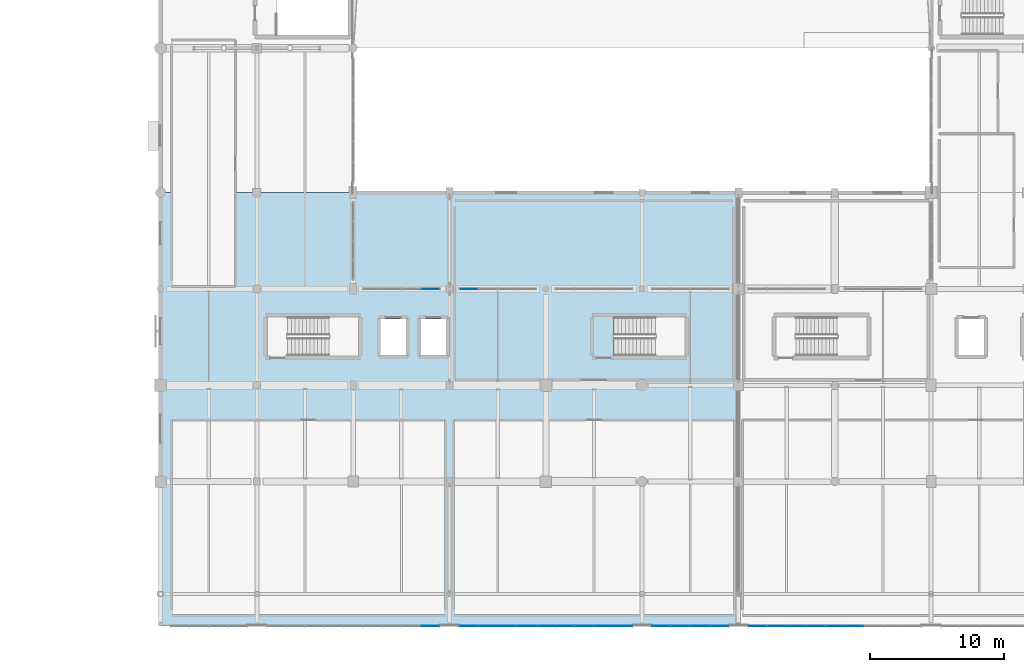
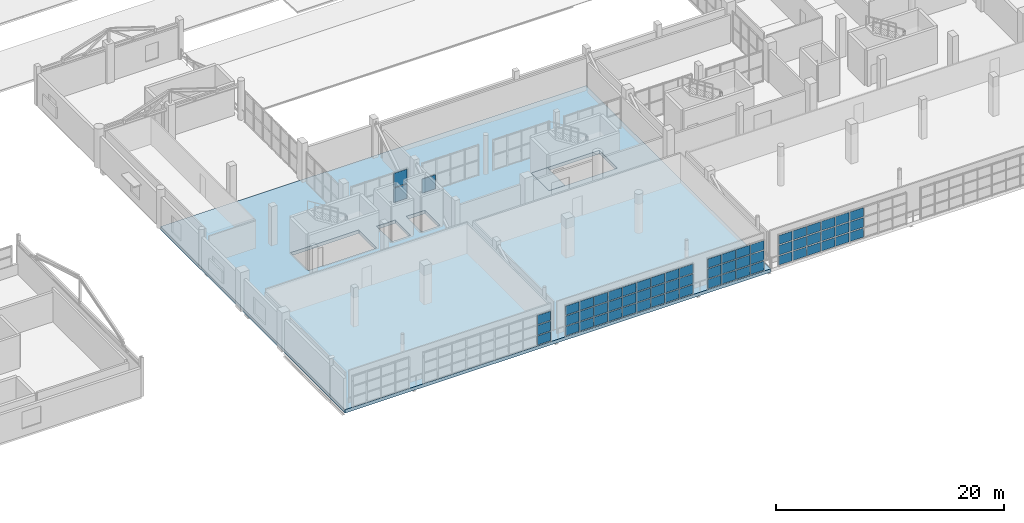
# One storey, part 50 of 90: 63 plates, 2 slabs, 6 elements without a shape of their own.
"""IFC4 building model written with IfcOpenShell, lengths in metres."""

from ifc_helpers import new_model, si_unit, direction, frame, origin, origin_2d, place, context, subcontext, project, spatial, polyline, rectangle, outline, extrude, material, layer, layer_set, type_object, element, aggregate, save


model = new_model("IFC4")

# Units and contexts
model_context = context("Model", 3, precision=1e-05, world=origin(), true_north=direction((0.0, 1.0)))
body_context = subcontext(model_context, "Body", "Model", "MODEL_VIEW")
ifc_project = project(units=[si_unit("LENGTHUNIT", "METRE"), si_unit("AREAUNIT", "SQUARE_METRE"), si_unit("VOLUMEUNIT", "CUBIC_METRE"), si_unit("PLANEANGLEUNIT", "RADIAN"), si_unit("MASSUNIT", "GRAM", prefix="KILO")], contexts=[model_context])

# Site, building, storey
site_placement = place(None, origin())
site = spatial("IfcSite", under=ifc_project, at=site_placement, CompositionType="ELEMENT")
building_placement = place(site_placement, origin())
building = spatial("IfcBuilding", under=site, at=building_placement, Name="Solanera Park Tramway Depot", CompositionType="ELEMENT")
storey_placement = place(building_placement, frame((0.0, 0.0, 9.0)))
storey = spatial("IfcBuildingStorey", under=building, at=storey_placement, Name="L02", CompositionType="ELEMENT", Elevation=9.0)

# Curtain wall, plates
ifc_material_1 = material(Name="Bronze-anodised thermally broken aluminium curtain wall", Category="aluminium")
curtain_wall_type_1 = type_object("IfcCurtainWallType", Name="Courtyard Cloister Unitised Curtain Wall", PredefinedType="NOTDEFINED", material=ifc_material_1)
curtain_wall_1_placement = place(storey_placement, origin())
curtain_wall_1 = element("IfcCurtainWall", 1, at=curtain_wall_1_placement, inside=storey, type_object=curtain_wall_type_1, Name="L02 Courtyard Cloister Unitised Curtain Wall #104", PredefinedType="NOTDEFINED")
ifc_material_2 = material(Name="Low-E laminated solar-control double glazing", Category="glass")
ifc_layer_1 = layer(ifc_material_2, 0.028076171875)
ifc_layer_set_1 = layer_set([ifc_layer_1], Name="Low-E laminated solar-control double glazing")
plate_type = type_object("IfcPlateType", Name="Curtain Wall Double Glazing Panel 28", PredefinedType="CURTAIN_PANEL", material=ifc_layer_set_1)
plate_1_placement = place(storey_placement, frame((128.15869140625, 25.199951171875, 0.11181640625), z_axis=(0.0, 0.0, 1.0), x_axis=(1.0, 0.0, 0.0)))
plate_1 = element("IfcPlate", 2, at=plate_1_placement, type_object=plate_type, Name="CW-L02-104 Glazing Panel R1.C4", PredefinedType="CURTAIN_PANEL", context=body_context, shape_type="SweptSolid", body=[
    extrude(rectangle(XDim=1.365478515625, YDim=0.028076171875, at=origin_2d()), origin(), (0.0, 0.0, 1.0), 1.510986328125),
])
plate_2_placement = place(storey_placement, frame((128.15869140625, 25.199951171875, 1.72705078125), z_axis=(0.0, 0.0, 1.0), x_axis=(1.0, 0.0, 0.0)))
plate_2 = element("IfcPlate", 3, at=plate_2_placement, type_object=plate_type, Name="CW-L02-104 Glazing Panel R2.C4", PredefinedType="CURTAIN_PANEL", context=body_context, shape_type="SweptSolid", body=[
    extrude(rectangle(XDim=1.365478515625, YDim=0.028076171875, at=origin_2d()), origin(), (0.0, 0.0, 1.0), 1.510986328125),
])
aggregate(curtain_wall_1, [plate_1, plate_2])

# Curtain wall, plate
curtain_wall_2_placement = place(storey_placement, origin())
curtain_wall_2 = element("IfcCurtainWall", 4, at=curtain_wall_2_placement, inside=storey, type_object=curtain_wall_type_1, Name="L02 Courtyard Cloister Unitised Curtain Wall #105", PredefinedType="NOTDEFINED")
plate_3_placement = place(storey_placement, frame((131.041259765625, 25.199951171875, 0.11181640625), z_axis=(0.0, 0.0, 1.0), x_axis=(1.0, 0.0, 0.0)))
plate_3 = element("IfcPlate", 5, at=plate_3_placement, type_object=plate_type, Name="CW-L02-105 Glazing Panel R1.C1", PredefinedType="CURTAIN_PANEL", context=body_context, shape_type="SweptSolid", body=[
    extrude(rectangle(XDim=1.365478515625, YDim=0.028076171875, at=origin_2d()), origin(), (0.0, 0.0, 1.0), 1.510986328125),
])
aggregate(curtain_wall_2, [plate_3])

# Curtain wall, plates
ifc_material_3 = material(Name="Bronze-anodised thermally broken aluminium curtain wall", Category="aluminium")
curtain_wall_type_2 = type_object("IfcCurtainWallType", Name="Cantilevered OCC Inclined Glazing Wall", PredefinedType="NOTDEFINED", material=ifc_material_3)
curtain_wall_3_placement = place(storey_placement, origin())
curtain_wall_3 = element("IfcCurtainWall", 6, at=curtain_wall_3_placement, inside=storey, type_object=curtain_wall_type_2, Name="L02 Cantilevered OCC Inclined Glazing Wall #115", PredefinedType="NOTDEFINED")
plate_4_placement = place(storey_placement, frame((128.16162109375, 0.0, 0.112060546875), z_axis=(0.0, 0.0, 1.0), x_axis=(1.0, 0.0, 0.0)))
plate_4 = element("IfcPlate", 7, at=plate_4_placement, type_object=plate_type, Name="CW-L02-115 Glazing Panel R1.C9", PredefinedType="CURTAIN_PANEL", context=body_context, shape_type="SweptSolid", body=[
    extrude(rectangle(XDim=1.35986328125, YDim=0.028076171875, at=origin_2d()), origin(), (0.0, 0.0, 1.0), 0.96923828125),
])
plate_5_placement = place(storey_placement, frame((128.16162109375, 0.0, 1.185302734375), z_axis=(0.0, 0.0, 1.0), x_axis=(1.0, 0.0, 0.0)))
plate_5 = element("IfcPlate", 8, at=plate_5_placement, type_object=plate_type, Name="CW-L02-115 Glazing Panel R2.C9", PredefinedType="CURTAIN_PANEL", context=body_context, shape_type="SweptSolid", body=[
    extrude(rectangle(XDim=1.35986328125, YDim=0.028076171875, at=origin_2d()), origin(), (0.0, 0.0, 1.0), 1.029296875),
])
plate_6_placement = place(storey_placement, frame((128.16162109375, 0.0, 2.31884765625), z_axis=(0.0, 0.0, 1.0), x_axis=(1.0, 0.0, 0.0)))
plate_6 = element("IfcPlate", 9, at=plate_6_placement, type_object=plate_type, Name="CW-L02-115 Glazing Panel R3.C9", PredefinedType="CURTAIN_PANEL", context=body_context, shape_type="SweptSolid", body=[
    extrude(rectangle(XDim=1.35986328125, YDim=0.028076171875, at=origin_2d()), origin(), (0.0, 0.0, 1.0), 0.96923828125),
])
aggregate(curtain_wall_3, [plate_4, plate_5, plate_6])

curtain_wall_4_placement = place(storey_placement, origin())
curtain_wall_4 = element("IfcCurtainWall", 10, at=curtain_wall_4_placement, inside=storey, type_object=curtain_wall_type_2, Name="L02 Cantilevered OCC Inclined Glazing Wall #116", PredefinedType="NOTDEFINED")
plate_7_placement = place(storey_placement, frame((131.03857421875, 0.0, 0.112060546875), z_axis=(0.0, 0.0, 1.0), x_axis=(1.0, 0.0, 0.0)))
plate_7 = element("IfcPlate", 11, at=plate_7_placement, type_object=plate_type, Name="CW-L02-116 Glazing Panel R1.C1", PredefinedType="CURTAIN_PANEL", context=body_context, shape_type="SweptSolid", body=[
    extrude(rectangle(XDim=1.35986328125, YDim=0.028076171875, at=origin_2d()), origin(), (0.0, 0.0, 1.0), 0.96923828125),
])
plate_8_placement = place(storey_placement, frame((132.466796875, 0.0, 0.112060546875), z_axis=(0.0, 0.0, 1.0), x_axis=(1.0, 0.0, 0.0)))
plate_8 = element("IfcPlate", 12, at=plate_8_placement, type_object=plate_type, Name="CW-L02-116 Glazing Panel R1.C2", PredefinedType="CURTAIN_PANEL", context=body_context, shape_type="SweptSolid", body=[
    extrude(rectangle(XDim=1.392333984375, YDim=0.028076171875, at=origin_2d()), origin(), (0.0, 0.0, 1.0), 0.96923828125),
])
plate_9_placement = place(storey_placement, frame((133.9111328125, 0.0, 0.112060546875), z_axis=(0.0, 0.0, 1.0), x_axis=(1.0, 0.0, 0.0)))
plate_9 = element("IfcPlate", 13, at=plate_9_placement, type_object=plate_type, Name="CW-L02-116 Glazing Panel R1.C3", PredefinedType="CURTAIN_PANEL", context=body_context, shape_type="SweptSolid", body=[
    extrude(rectangle(XDim=1.392333984375, YDim=0.028076171875, at=origin_2d()), origin(), (0.0, 0.0, 1.0), 0.96923828125),
])
plate_10_placement = place(storey_placement, frame((135.355712890625, 0.0, 0.112060546875), z_axis=(0.0, 0.0, 1.0), x_axis=(1.0, 0.0, 0.0)))
plate_10 = element("IfcPlate", 14, at=plate_10_placement, type_object=plate_type, Name="CW-L02-116 Glazing Panel R1.C4", PredefinedType="CURTAIN_PANEL", context=body_context, shape_type="SweptSolid", body=[
    extrude(rectangle(XDim=1.392333984375, YDim=0.028076171875, at=origin_2d()), origin(), (0.0, 0.0, 1.0), 0.96923828125),
])
plate_11_placement = place(storey_placement, frame((136.800048828125, 0.0, 0.112060546875), z_axis=(0.0, 0.0, 1.0), x_axis=(1.0, 0.0, 0.0)))
plate_11 = element("IfcPlate", 15, at=plate_11_placement, type_object=plate_type, Name="CW-L02-116 Glazing Panel R1.C5", PredefinedType="CURTAIN_PANEL", context=body_context, shape_type="SweptSolid", body=[
    extrude(rectangle(XDim=1.392333984375, YDim=0.028076171875, at=origin_2d()), origin(), (0.0, 0.0, 1.0), 0.96923828125),
])
plate_12_placement = place(storey_placement, frame((138.244384765625, 0.0, 0.112060546875), z_axis=(0.0, 0.0, 1.0), x_axis=(1.0, 0.0, 0.0)))
plate_12 = element("IfcPlate", 16, at=plate_12_placement, type_object=plate_type, Name="CW-L02-116 Glazing Panel R1.C6", PredefinedType="CURTAIN_PANEL", context=body_context, shape_type="SweptSolid", body=[
    extrude(rectangle(XDim=1.392333984375, YDim=0.028076171875, at=origin_2d()), origin(), (0.0, 0.0, 1.0), 0.96923828125),
])
plate_13_placement = place(storey_placement, frame((139.68896484375, 0.0, 0.112060546875), z_axis=(0.0, 0.0, 1.0), x_axis=(1.0, 0.0, 0.0)))
plate_13 = element("IfcPlate", 17, at=plate_13_placement, type_object=plate_type, Name="CW-L02-116 Glazing Panel R1.C7", PredefinedType="CURTAIN_PANEL", context=body_context, shape_type="SweptSolid", body=[
    extrude(rectangle(XDim=1.392333984375, YDim=0.028076171875, at=origin_2d()), origin(), (0.0, 0.0, 1.0), 0.96923828125),
])
plate_14_placement = place(storey_placement, frame((141.13330078125, 0.0, 0.112060546875), z_axis=(0.0, 0.0, 1.0), x_axis=(1.0, 0.0, 0.0)))
plate_14 = element("IfcPlate", 18, at=plate_14_placement, type_object=plate_type, Name="CW-L02-116 Glazing Panel R1.C8", PredefinedType="CURTAIN_PANEL", context=body_context, shape_type="SweptSolid", body=[
    extrude(rectangle(XDim=1.392333984375, YDim=0.028076171875, at=origin_2d()), origin(), (0.0, 0.0, 1.0), 0.96923828125),
])
plate_15_placement = place(storey_placement, frame((142.5615234375, 0.0, 0.112060546875), z_axis=(0.0, 0.0, 1.0), x_axis=(1.0, 0.0, 0.0)))
plate_15 = element("IfcPlate", 19, at=plate_15_placement, type_object=plate_type, Name="CW-L02-116 Glazing Panel R1.C9", PredefinedType="CURTAIN_PANEL", context=body_context, shape_type="SweptSolid", body=[
    extrude(rectangle(XDim=1.35986328125, YDim=0.028076171875, at=origin_2d()), origin(), (0.0, 0.0, 1.0), 0.96923828125),
])
plate_16_placement = place(storey_placement, frame((131.03857421875, 0.0, 1.185302734375), z_axis=(0.0, 0.0, 1.0), x_axis=(1.0, 0.0, 0.0)))
plate_16 = element("IfcPlate", 20, at=plate_16_placement, type_object=plate_type, Name="CW-L02-116 Glazing Panel R2.C1", PredefinedType="CURTAIN_PANEL", context=body_context, shape_type="SweptSolid", body=[
    extrude(rectangle(XDim=1.35986328125, YDim=0.028076171875, at=origin_2d()), origin(), (0.0, 0.0, 1.0), 1.029296875),
])
plate_17_placement = place(storey_placement, frame((132.466796875, 0.0, 1.185302734375), z_axis=(0.0, 0.0, 1.0), x_axis=(1.0, 0.0, 0.0)))
plate_17 = element("IfcPlate", 21, at=plate_17_placement, type_object=plate_type, Name="CW-L02-116 Glazing Panel R2.C2", PredefinedType="CURTAIN_PANEL", context=body_context, shape_type="SweptSolid", body=[
    extrude(rectangle(XDim=1.392333984375, YDim=0.028076171875, at=origin_2d()), origin(), (0.0, 0.0, 1.0), 1.029296875),
])
plate_18_placement = place(storey_placement, frame((133.9111328125, 0.0, 1.185302734375), z_axis=(0.0, 0.0, 1.0), x_axis=(1.0, 0.0, 0.0)))
plate_18 = element("IfcPlate", 22, at=plate_18_placement, type_object=plate_type, Name="CW-L02-116 Glazing Panel R2.C3", PredefinedType="CURTAIN_PANEL", context=body_context, shape_type="SweptSolid", body=[
    extrude(rectangle(XDim=1.392333984375, YDim=0.028076171875, at=origin_2d()), origin(), (0.0, 0.0, 1.0), 1.029296875),
])
plate_19_placement = place(storey_placement, frame((135.355712890625, 0.0, 1.185302734375), z_axis=(0.0, 0.0, 1.0), x_axis=(1.0, 0.0, 0.0)))
plate_19 = element("IfcPlate", 23, at=plate_19_placement, type_object=plate_type, Name="CW-L02-116 Glazing Panel R2.C4", PredefinedType="CURTAIN_PANEL", context=body_context, shape_type="SweptSolid", body=[
    extrude(rectangle(XDim=1.392333984375, YDim=0.028076171875, at=origin_2d()), origin(), (0.0, 0.0, 1.0), 1.029296875),
])
plate_20_placement = place(storey_placement, frame((136.800048828125, 0.0, 1.185302734375), z_axis=(0.0, 0.0, 1.0), x_axis=(1.0, 0.0, 0.0)))
plate_20 = element("IfcPlate", 24, at=plate_20_placement, type_object=plate_type, Name="CW-L02-116 Glazing Panel R2.C5", PredefinedType="CURTAIN_PANEL", context=body_context, shape_type="SweptSolid", body=[
    extrude(rectangle(XDim=1.392333984375, YDim=0.028076171875, at=origin_2d()), origin(), (0.0, 0.0, 1.0), 1.029296875),
])
plate_21_placement = place(storey_placement, frame((138.244384765625, 0.0, 1.185302734375), z_axis=(0.0, 0.0, 1.0), x_axis=(1.0, 0.0, 0.0)))
plate_21 = element("IfcPlate", 25, at=plate_21_placement, type_object=plate_type, Name="CW-L02-116 Glazing Panel R2.C6", PredefinedType="CURTAIN_PANEL", context=body_context, shape_type="SweptSolid", body=[
    extrude(rectangle(XDim=1.392333984375, YDim=0.028076171875, at=origin_2d()), origin(), (0.0, 0.0, 1.0), 1.029296875),
])
plate_22_placement = place(storey_placement, frame((139.68896484375, 0.0, 1.185302734375), z_axis=(0.0, 0.0, 1.0), x_axis=(1.0, 0.0, 0.0)))
plate_22 = element("IfcPlate", 26, at=plate_22_placement, type_object=plate_type, Name="CW-L02-116 Glazing Panel R2.C7", PredefinedType="CURTAIN_PANEL", context=body_context, shape_type="SweptSolid", body=[
    extrude(rectangle(XDim=1.392333984375, YDim=0.028076171875, at=origin_2d()), origin(), (0.0, 0.0, 1.0), 1.029296875),
])
plate_23_placement = place(storey_placement, frame((141.13330078125, 0.0, 1.185302734375), z_axis=(0.0, 0.0, 1.0), x_axis=(1.0, 0.0, 0.0)))
plate_23 = element("IfcPlate", 27, at=plate_23_placement, type_object=plate_type, Name="CW-L02-116 Glazing Panel R2.C8", PredefinedType="CURTAIN_PANEL", context=body_context, shape_type="SweptSolid", body=[
    extrude(rectangle(XDim=1.392333984375, YDim=0.028076171875, at=origin_2d()), origin(), (0.0, 0.0, 1.0), 1.029296875),
])
plate_24_placement = place(storey_placement, frame((142.5615234375, 0.0, 1.185302734375), z_axis=(0.0, 0.0, 1.0), x_axis=(1.0, 0.0, 0.0)))
plate_24 = element("IfcPlate", 28, at=plate_24_placement, type_object=plate_type, Name="CW-L02-116 Glazing Panel R2.C9", PredefinedType="CURTAIN_PANEL", context=body_context, shape_type="SweptSolid", body=[
    extrude(rectangle(XDim=1.35986328125, YDim=0.028076171875, at=origin_2d()), origin(), (0.0, 0.0, 1.0), 1.029296875),
])
plate_25_placement = place(storey_placement, frame((131.03857421875, 0.0, 2.31884765625), z_axis=(0.0, 0.0, 1.0), x_axis=(1.0, 0.0, 0.0)))
plate_25 = element("IfcPlate", 29, at=plate_25_placement, type_object=plate_type, Name="CW-L02-116 Glazing Panel R3.C1", PredefinedType="CURTAIN_PANEL", context=body_context, shape_type="SweptSolid", body=[
    extrude(rectangle(XDim=1.35986328125, YDim=0.028076171875, at=origin_2d()), origin(), (0.0, 0.0, 1.0), 0.96923828125),
])
plate_26_placement = place(storey_placement, frame((132.466796875, 0.0, 2.31884765625), z_axis=(0.0, 0.0, 1.0), x_axis=(1.0, 0.0, 0.0)))
plate_26 = element("IfcPlate", 30, at=plate_26_placement, type_object=plate_type, Name="CW-L02-116 Glazing Panel R3.C2", PredefinedType="CURTAIN_PANEL", context=body_context, shape_type="SweptSolid", body=[
    extrude(rectangle(XDim=1.392333984375, YDim=0.028076171875, at=origin_2d()), origin(), (0.0, 0.0, 1.0), 0.96923828125),
])
plate_27_placement = place(storey_placement, frame((133.9111328125, 0.0, 2.31884765625), z_axis=(0.0, 0.0, 1.0), x_axis=(1.0, 0.0, 0.0)))
plate_27 = element("IfcPlate", 31, at=plate_27_placement, type_object=plate_type, Name="CW-L02-116 Glazing Panel R3.C3", PredefinedType="CURTAIN_PANEL", context=body_context, shape_type="SweptSolid", body=[
    extrude(rectangle(XDim=1.392333984375, YDim=0.028076171875, at=origin_2d()), origin(), (0.0, 0.0, 1.0), 0.96923828125),
])
plate_28_placement = place(storey_placement, frame((135.355712890625, 0.0, 2.31884765625), z_axis=(0.0, 0.0, 1.0), x_axis=(1.0, 0.0, 0.0)))
plate_28 = element("IfcPlate", 32, at=plate_28_placement, type_object=plate_type, Name="CW-L02-116 Glazing Panel R3.C4", PredefinedType="CURTAIN_PANEL", context=body_context, shape_type="SweptSolid", body=[
    extrude(rectangle(XDim=1.392333984375, YDim=0.028076171875, at=origin_2d()), origin(), (0.0, 0.0, 1.0), 0.96923828125),
])
plate_29_placement = place(storey_placement, frame((136.800048828125, 0.0, 2.31884765625), z_axis=(0.0, 0.0, 1.0), x_axis=(1.0, 0.0, 0.0)))
plate_29 = element("IfcPlate", 33, at=plate_29_placement, type_object=plate_type, Name="CW-L02-116 Glazing Panel R3.C5", PredefinedType="CURTAIN_PANEL", context=body_context, shape_type="SweptSolid", body=[
    extrude(rectangle(XDim=1.392333984375, YDim=0.028076171875, at=origin_2d()), origin(), (0.0, 0.0, 1.0), 0.96923828125),
])
plate_30_placement = place(storey_placement, frame((138.244384765625, 0.0, 2.31884765625), z_axis=(0.0, 0.0, 1.0), x_axis=(1.0, 0.0, 0.0)))
plate_30 = element("IfcPlate", 34, at=plate_30_placement, type_object=plate_type, Name="CW-L02-116 Glazing Panel R3.C6", PredefinedType="CURTAIN_PANEL", context=body_context, shape_type="SweptSolid", body=[
    extrude(rectangle(XDim=1.392333984375, YDim=0.028076171875, at=origin_2d()), origin(), (0.0, 0.0, 1.0), 0.96923828125),
])
plate_31_placement = place(storey_placement, frame((139.68896484375, 0.0, 2.31884765625), z_axis=(0.0, 0.0, 1.0), x_axis=(1.0, 0.0, 0.0)))
plate_31 = element("IfcPlate", 35, at=plate_31_placement, type_object=plate_type, Name="CW-L02-116 Glazing Panel R3.C7", PredefinedType="CURTAIN_PANEL", context=body_context, shape_type="SweptSolid", body=[
    extrude(rectangle(XDim=1.392333984375, YDim=0.028076171875, at=origin_2d()), origin(), (0.0, 0.0, 1.0), 0.96923828125),
])
plate_32_placement = place(storey_placement, frame((141.13330078125, 0.0, 2.31884765625), z_axis=(0.0, 0.0, 1.0), x_axis=(1.0, 0.0, 0.0)))
plate_32 = element("IfcPlate", 36, at=plate_32_placement, type_object=plate_type, Name="CW-L02-116 Glazing Panel R3.C8", PredefinedType="CURTAIN_PANEL", context=body_context, shape_type="SweptSolid", body=[
    extrude(rectangle(XDim=1.392333984375, YDim=0.028076171875, at=origin_2d()), origin(), (0.0, 0.0, 1.0), 0.96923828125),
])
plate_33_placement = place(storey_placement, frame((142.5615234375, 0.0, 2.31884765625), z_axis=(0.0, 0.0, 1.0), x_axis=(1.0, 0.0, 0.0)))
plate_33 = element("IfcPlate", 37, at=plate_33_placement, type_object=plate_type, Name="CW-L02-116 Glazing Panel R3.C9", PredefinedType="CURTAIN_PANEL", context=body_context, shape_type="SweptSolid", body=[
    extrude(rectangle(XDim=1.35986328125, YDim=0.028076171875, at=origin_2d()), origin(), (0.0, 0.0, 1.0), 0.96923828125),
])
aggregate(curtain_wall_4, [plate_7, plate_8, plate_9, plate_10, plate_11, plate_12, plate_13, plate_14, plate_15, plate_16, plate_17, plate_18, plate_19, plate_20, plate_21, plate_22, plate_23, plate_24, plate_25, plate_26, plate_27, plate_28, plate_29, plate_30, plate_31, plate_32, plate_33])

curtain_wall_5_placement = place(storey_placement, origin())
curtain_wall_5 = element("IfcCurtainWall", 38, at=curtain_wall_5_placement, inside=storey, type_object=curtain_wall_type_2, Name="L02 Cantilevered OCC Inclined Glazing Wall #117", PredefinedType="NOTDEFINED")
plate_34_placement = place(storey_placement, frame((145.441162109375, 0.0, 0.112060546875), z_axis=(0.0, 0.0, 1.0), x_axis=(1.0, 0.0, 0.0)))
plate_34 = element("IfcPlate", 39, at=plate_34_placement, type_object=plate_type, Name="CW-L02-117 Glazing Panel R1.C1", PredefinedType="CURTAIN_PANEL", context=body_context, shape_type="SweptSolid", body=[
    extrude(rectangle(XDim=1.365478515625, YDim=0.028076171875, at=origin_2d()), origin(), (0.0, 0.0, 1.0), 0.96923828125),
])
plate_35_placement = place(storey_placement, frame((146.875, 0.0, 0.112060546875), z_axis=(0.0, 0.0, 1.0), x_axis=(1.0, 0.0, 0.0)))
plate_35 = element("IfcPlate", 40, at=plate_35_placement, type_object=plate_type, Name="CW-L02-117 Glazing Panel R1.C2", PredefinedType="CURTAIN_PANEL", context=body_context, shape_type="SweptSolid", body=[
    extrude(rectangle(XDim=1.39794921875, YDim=0.028076171875, at=origin_2d()), origin(), (0.0, 0.0, 1.0), 0.96923828125),
])
plate_36_placement = place(storey_placement, frame((148.324951171875, 0.0, 0.112060546875), z_axis=(0.0, 0.0, 1.0), x_axis=(1.0, 0.0, 0.0)))
plate_36 = element("IfcPlate", 41, at=plate_36_placement, type_object=plate_type, Name="CW-L02-117 Glazing Panel R1.C3", PredefinedType="CURTAIN_PANEL", context=body_context, shape_type="SweptSolid", body=[
    extrude(rectangle(XDim=1.39794921875, YDim=0.028076171875, at=origin_2d()), origin(), (0.0, 0.0, 1.0), 0.96923828125),
])
plate_37_placement = place(storey_placement, frame((149.7587890625, 0.0, 0.112060546875), z_axis=(0.0, 0.0, 1.0), x_axis=(1.0, 0.0, 0.0)))
plate_37 = element("IfcPlate", 42, at=plate_37_placement, type_object=plate_type, Name="CW-L02-117 Glazing Panel R1.C4", PredefinedType="CURTAIN_PANEL", context=body_context, shape_type="SweptSolid", body=[
    extrude(rectangle(XDim=1.365478515625, YDim=0.028076171875, at=origin_2d()), origin(), (0.0, 0.0, 1.0), 0.96923828125),
])
plate_38_placement = place(storey_placement, frame((145.441162109375, 0.0, 1.185302734375), z_axis=(0.0, 0.0, 1.0), x_axis=(1.0, 0.0, 0.0)))
plate_38 = element("IfcPlate", 43, at=plate_38_placement, type_object=plate_type, Name="CW-L02-117 Glazing Panel R2.C1", PredefinedType="CURTAIN_PANEL", context=body_context, shape_type="SweptSolid", body=[
    extrude(rectangle(XDim=1.365478515625, YDim=0.028076171875, at=origin_2d()), origin(), (0.0, 0.0, 1.0), 1.029296875),
])
plate_39_placement = place(storey_placement, frame((146.875, 0.0, 1.185302734375), z_axis=(0.0, 0.0, 1.0), x_axis=(1.0, 0.0, 0.0)))
plate_39 = element("IfcPlate", 44, at=plate_39_placement, type_object=plate_type, Name="CW-L02-117 Glazing Panel R2.C2", PredefinedType="CURTAIN_PANEL", context=body_context, shape_type="SweptSolid", body=[
    extrude(rectangle(XDim=1.39794921875, YDim=0.028076171875, at=origin_2d()), origin(), (0.0, 0.0, 1.0), 1.029296875),
])
plate_40_placement = place(storey_placement, frame((148.324951171875, 0.0, 1.185302734375), z_axis=(0.0, 0.0, 1.0), x_axis=(1.0, 0.0, 0.0)))
plate_40 = element("IfcPlate", 45, at=plate_40_placement, type_object=plate_type, Name="CW-L02-117 Glazing Panel R2.C3", PredefinedType="CURTAIN_PANEL", context=body_context, shape_type="SweptSolid", body=[
    extrude(rectangle(XDim=1.39794921875, YDim=0.028076171875, at=origin_2d()), origin(), (0.0, 0.0, 1.0), 1.029296875),
])
plate_41_placement = place(storey_placement, frame((149.7587890625, 0.0, 1.185302734375), z_axis=(0.0, 0.0, 1.0), x_axis=(1.0, 0.0, 0.0)))
plate_41 = element("IfcPlate", 46, at=plate_41_placement, type_object=plate_type, Name="CW-L02-117 Glazing Panel R2.C4", PredefinedType="CURTAIN_PANEL", context=body_context, shape_type="SweptSolid", body=[
    extrude(rectangle(XDim=1.365478515625, YDim=0.028076171875, at=origin_2d()), origin(), (0.0, 0.0, 1.0), 1.029296875),
])
plate_42_placement = place(storey_placement, frame((145.441162109375, 0.0, 2.31884765625), z_axis=(0.0, 0.0, 1.0), x_axis=(1.0, 0.0, 0.0)))
plate_42 = element("IfcPlate", 47, at=plate_42_placement, type_object=plate_type, Name="CW-L02-117 Glazing Panel R3.C1", PredefinedType="CURTAIN_PANEL", context=body_context, shape_type="SweptSolid", body=[
    extrude(rectangle(XDim=1.365478515625, YDim=0.028076171875, at=origin_2d()), origin(), (0.0, 0.0, 1.0), 0.96923828125),
])
plate_43_placement = place(storey_placement, frame((146.875, 0.0, 2.31884765625), z_axis=(0.0, 0.0, 1.0), x_axis=(1.0, 0.0, 0.0)))
plate_43 = element("IfcPlate", 48, at=plate_43_placement, type_object=plate_type, Name="CW-L02-117 Glazing Panel R3.C2", PredefinedType="CURTAIN_PANEL", context=body_context, shape_type="SweptSolid", body=[
    extrude(rectangle(XDim=1.39794921875, YDim=0.028076171875, at=origin_2d()), origin(), (0.0, 0.0, 1.0), 0.96923828125),
])
plate_44_placement = place(storey_placement, frame((148.324951171875, 0.0, 2.31884765625), z_axis=(0.0, 0.0, 1.0), x_axis=(1.0, 0.0, 0.0)))
plate_44 = element("IfcPlate", 49, at=plate_44_placement, type_object=plate_type, Name="CW-L02-117 Glazing Panel R3.C3", PredefinedType="CURTAIN_PANEL", context=body_context, shape_type="SweptSolid", body=[
    extrude(rectangle(XDim=1.39794921875, YDim=0.028076171875, at=origin_2d()), origin(), (0.0, 0.0, 1.0), 0.96923828125),
])
plate_45_placement = place(storey_placement, frame((149.7587890625, 0.0, 2.31884765625), z_axis=(0.0, 0.0, 1.0), x_axis=(1.0, 0.0, 0.0)))
plate_45 = element("IfcPlate", 50, at=plate_45_placement, type_object=plate_type, Name="CW-L02-117 Glazing Panel R3.C4", PredefinedType="CURTAIN_PANEL", context=body_context, shape_type="SweptSolid", body=[
    extrude(rectangle(XDim=1.365478515625, YDim=0.028076171875, at=origin_2d()), origin(), (0.0, 0.0, 1.0), 0.96923828125),
])
aggregate(curtain_wall_5, [plate_34, plate_35, plate_36, plate_37, plate_38, plate_39, plate_40, plate_41, plate_42, plate_43, plate_44, plate_45])

curtain_wall_6_placement = place(storey_placement, origin())
curtain_wall_6 = element("IfcCurtainWall", 51, at=curtain_wall_6_placement, inside=storey, type_object=curtain_wall_type_2, Name="L02 Cantilevered OCC Inclined Glazing Wall #118", PredefinedType="NOTDEFINED")
plate_46_placement = place(storey_placement, frame((152.638427734375, 0.0, 0.112060546875), z_axis=(0.0, 0.0, 1.0), x_axis=(1.0, 0.0, 0.0)))
plate_46 = element("IfcPlate", 52, at=plate_46_placement, type_object=plate_type, Name="CW-L02-118 Glazing Panel R1.C1", PredefinedType="CURTAIN_PANEL", context=body_context, shape_type="SweptSolid", body=[
    extrude(rectangle(XDim=1.35986328125, YDim=0.028076171875, at=origin_2d()), origin(), (0.0, 0.0, 1.0), 0.96923828125),
])
plate_47_placement = place(storey_placement, frame((154.066650390625, 0.0, 0.112060546875), z_axis=(0.0, 0.0, 1.0), x_axis=(1.0, 0.0, 0.0)))
plate_47 = element("IfcPlate", 53, at=plate_47_placement, type_object=plate_type, Name="CW-L02-118 Glazing Panel R1.C2", PredefinedType="CURTAIN_PANEL", context=body_context, shape_type="SweptSolid", body=[
    extrude(rectangle(XDim=1.392333984375, YDim=0.028076171875, at=origin_2d()), origin(), (0.0, 0.0, 1.0), 0.96923828125),
])
plate_48_placement = place(storey_placement, frame((155.510986328125, 0.0, 0.112060546875), z_axis=(0.0, 0.0, 1.0), x_axis=(1.0, 0.0, 0.0)))
plate_48 = element("IfcPlate", 54, at=plate_48_placement, type_object=plate_type, Name="CW-L02-118 Glazing Panel R1.C3", PredefinedType="CURTAIN_PANEL", context=body_context, shape_type="SweptSolid", body=[
    extrude(rectangle(XDim=1.392333984375, YDim=0.028076171875, at=origin_2d()), origin(), (0.0, 0.0, 1.0), 0.96923828125),
])
plate_49_placement = place(storey_placement, frame((156.95556640625, 0.0, 0.112060546875), z_axis=(0.0, 0.0, 1.0), x_axis=(1.0, 0.0, 0.0)))
plate_49 = element("IfcPlate", 55, at=plate_49_placement, type_object=plate_type, Name="CW-L02-118 Glazing Panel R1.C4", PredefinedType="CURTAIN_PANEL", context=body_context, shape_type="SweptSolid", body=[
    extrude(rectangle(XDim=1.392333984375, YDim=0.028076171875, at=origin_2d()), origin(), (0.0, 0.0, 1.0), 0.96923828125),
])
plate_50_placement = place(storey_placement, frame((158.39990234375, 0.0, 0.112060546875), z_axis=(0.0, 0.0, 1.0), x_axis=(1.0, 0.0, 0.0)))
plate_50 = element("IfcPlate", 56, at=plate_50_placement, type_object=plate_type, Name="CW-L02-118 Glazing Panel R1.C5", PredefinedType="CURTAIN_PANEL", context=body_context, shape_type="SweptSolid", body=[
    extrude(rectangle(XDim=1.392333984375, YDim=0.028076171875, at=origin_2d()), origin(), (0.0, 0.0, 1.0), 0.96923828125),
])
plate_51_placement = place(storey_placement, frame((159.844482421875, 0.0, 0.112060546875), z_axis=(0.0, 0.0, 1.0), x_axis=(1.0, 0.0, 0.0)))
plate_51 = element("IfcPlate", 57, at=plate_51_placement, type_object=plate_type, Name="CW-L02-118 Glazing Panel R1.C6", PredefinedType="CURTAIN_PANEL", context=body_context, shape_type="SweptSolid", body=[
    extrude(rectangle(XDim=1.392333984375, YDim=0.028076171875, at=origin_2d()), origin(), (0.0, 0.0, 1.0), 0.96923828125),
])
plate_52_placement = place(storey_placement, frame((152.638427734375, 0.0, 1.185302734375), z_axis=(0.0, 0.0, 1.0), x_axis=(1.0, 0.0, 0.0)))
plate_52 = element("IfcPlate", 58, at=plate_52_placement, type_object=plate_type, Name="CW-L02-118 Glazing Panel R2.C1", PredefinedType="CURTAIN_PANEL", context=body_context, shape_type="SweptSolid", body=[
    extrude(rectangle(XDim=1.35986328125, YDim=0.028076171875, at=origin_2d()), origin(), (0.0, 0.0, 1.0), 1.029296875),
])
plate_53_placement = place(storey_placement, frame((154.066650390625, 0.0, 1.185302734375), z_axis=(0.0, 0.0, 1.0), x_axis=(1.0, 0.0, 0.0)))
plate_53 = element("IfcPlate", 59, at=plate_53_placement, type_object=plate_type, Name="CW-L02-118 Glazing Panel R2.C2", PredefinedType="CURTAIN_PANEL", context=body_context, shape_type="SweptSolid", body=[
    extrude(rectangle(XDim=1.392333984375, YDim=0.028076171875, at=origin_2d()), origin(), (0.0, 0.0, 1.0), 1.029296875),
])
plate_54_placement = place(storey_placement, frame((155.510986328125, 0.0, 1.185302734375), z_axis=(0.0, 0.0, 1.0), x_axis=(1.0, 0.0, 0.0)))
plate_54 = element("IfcPlate", 60, at=plate_54_placement, type_object=plate_type, Name="CW-L02-118 Glazing Panel R2.C3", PredefinedType="CURTAIN_PANEL", context=body_context, shape_type="SweptSolid", body=[
    extrude(rectangle(XDim=1.392333984375, YDim=0.028076171875, at=origin_2d()), origin(), (0.0, 0.0, 1.0), 1.029296875),
])
plate_55_placement = place(storey_placement, frame((156.95556640625, 0.0, 1.185302734375), z_axis=(0.0, 0.0, 1.0), x_axis=(1.0, 0.0, 0.0)))
plate_55 = element("IfcPlate", 61, at=plate_55_placement, type_object=plate_type, Name="CW-L02-118 Glazing Panel R2.C4", PredefinedType="CURTAIN_PANEL", context=body_context, shape_type="SweptSolid", body=[
    extrude(rectangle(XDim=1.392333984375, YDim=0.028076171875, at=origin_2d()), origin(), (0.0, 0.0, 1.0), 1.029296875),
])
plate_56_placement = place(storey_placement, frame((158.39990234375, 0.0, 1.185302734375), z_axis=(0.0, 0.0, 1.0), x_axis=(1.0, 0.0, 0.0)))
plate_56 = element("IfcPlate", 62, at=plate_56_placement, type_object=plate_type, Name="CW-L02-118 Glazing Panel R2.C5", PredefinedType="CURTAIN_PANEL", context=body_context, shape_type="SweptSolid", body=[
    extrude(rectangle(XDim=1.392333984375, YDim=0.028076171875, at=origin_2d()), origin(), (0.0, 0.0, 1.0), 1.029296875),
])
plate_57_placement = place(storey_placement, frame((159.844482421875, 0.0, 1.185302734375), z_axis=(0.0, 0.0, 1.0), x_axis=(1.0, 0.0, 0.0)))
plate_57 = element("IfcPlate", 63, at=plate_57_placement, type_object=plate_type, Name="CW-L02-118 Glazing Panel R2.C6", PredefinedType="CURTAIN_PANEL", context=body_context, shape_type="SweptSolid", body=[
    extrude(rectangle(XDim=1.392333984375, YDim=0.028076171875, at=origin_2d()), origin(), (0.0, 0.0, 1.0), 1.029296875),
])
plate_58_placement = place(storey_placement, frame((152.638427734375, 0.0, 2.31884765625), z_axis=(0.0, 0.0, 1.0), x_axis=(1.0, 0.0, 0.0)))
plate_58 = element("IfcPlate", 64, at=plate_58_placement, type_object=plate_type, Name="CW-L02-118 Glazing Panel R3.C1", PredefinedType="CURTAIN_PANEL", context=body_context, shape_type="SweptSolid", body=[
    extrude(rectangle(XDim=1.35986328125, YDim=0.028076171875, at=origin_2d()), origin(), (0.0, 0.0, 1.0), 0.96923828125),
])
plate_59_placement = place(storey_placement, frame((154.066650390625, 0.0, 2.31884765625), z_axis=(0.0, 0.0, 1.0), x_axis=(1.0, 0.0, 0.0)))
plate_59 = element("IfcPlate", 65, at=plate_59_placement, type_object=plate_type, Name="CW-L02-118 Glazing Panel R3.C2", PredefinedType="CURTAIN_PANEL", context=body_context, shape_type="SweptSolid", body=[
    extrude(rectangle(XDim=1.392333984375, YDim=0.028076171875, at=origin_2d()), origin(), (0.0, 0.0, 1.0), 0.96923828125),
])
plate_60_placement = place(storey_placement, frame((155.510986328125, 0.0, 2.31884765625), z_axis=(0.0, 0.0, 1.0), x_axis=(1.0, 0.0, 0.0)))
plate_60 = element("IfcPlate", 66, at=plate_60_placement, type_object=plate_type, Name="CW-L02-118 Glazing Panel R3.C3", PredefinedType="CURTAIN_PANEL", context=body_context, shape_type="SweptSolid", body=[
    extrude(rectangle(XDim=1.392333984375, YDim=0.028076171875, at=origin_2d()), origin(), (0.0, 0.0, 1.0), 0.96923828125),
])
plate_61_placement = place(storey_placement, frame((156.95556640625, 0.0, 2.31884765625), z_axis=(0.0, 0.0, 1.0), x_axis=(1.0, 0.0, 0.0)))
plate_61 = element("IfcPlate", 67, at=plate_61_placement, type_object=plate_type, Name="CW-L02-118 Glazing Panel R3.C4", PredefinedType="CURTAIN_PANEL", context=body_context, shape_type="SweptSolid", body=[
    extrude(rectangle(XDim=1.392333984375, YDim=0.028076171875, at=origin_2d()), origin(), (0.0, 0.0, 1.0), 0.96923828125),
])
plate_62_placement = place(storey_placement, frame((158.39990234375, 0.0, 2.31884765625), z_axis=(0.0, 0.0, 1.0), x_axis=(1.0, 0.0, 0.0)))
plate_62 = element("IfcPlate", 68, at=plate_62_placement, type_object=plate_type, Name="CW-L02-118 Glazing Panel R3.C5", PredefinedType="CURTAIN_PANEL", context=body_context, shape_type="SweptSolid", body=[
    extrude(rectangle(XDim=1.392333984375, YDim=0.028076171875, at=origin_2d()), origin(), (0.0, 0.0, 1.0), 0.96923828125),
])
plate_63_placement = place(storey_placement, frame((159.844482421875, 0.0, 2.31884765625), z_axis=(0.0, 0.0, 1.0), x_axis=(1.0, 0.0, 0.0)))
plate_63 = element("IfcPlate", 69, at=plate_63_placement, type_object=plate_type, Name="CW-L02-118 Glazing Panel R3.C6", PredefinedType="CURTAIN_PANEL", context=body_context, shape_type="SweptSolid", body=[
    extrude(rectangle(XDim=1.392333984375, YDim=0.028076171875, at=origin_2d()), origin(), (0.0, 0.0, 1.0), 0.96923828125),
])
aggregate(curtain_wall_6, [plate_46, plate_47, plate_48, plate_49, plate_50, plate_51, plate_52, plate_53, plate_54, plate_55, plate_56, plate_57, plate_58, plate_59, plate_60, plate_61, plate_62, plate_63])

# Slabs
ifc_material_4 = material(Name="Concrete N40 (C40/50)", Category="concrete")
ifc_layer_2 = layer(ifc_material_4, 0.360107421875)
ifc_layer_set_2 = layer_set([ifc_layer_2], Name="Concrete N40 (C40/50)")
slab_type_1 = type_object("IfcSlabType", Name="Slab Floor 360", PredefinedType="FLOOR", material=ifc_layer_set_2)
slab_1_placement = place(storey_placement, frame((0.0, 0.0, -0.360107421875)))
element("IfcSlab", 70, at=slab_1_placement, inside=storey, type_object=slab_type_1, Name="L02 Structural Slab SL-L02-V4HW", PredefinedType="FLOOR", context=body_context, shape_type="SweptSolid", body=[
    extrude(outline(polyline([(151.14990234375, 0.0), (108.0, 0.0), (108.0, 32.39990234375), (151.14990234375, 32.39990234375), (151.14990234375, 0.0)]), holes=[polyline([(122.800048828125, 20.074951171875), (122.800048828125, 23.22509765625), (115.875, 23.22509765625), (115.875, 20.074951171875), (122.800048828125, 20.074951171875)]), polyline([(140.27490234375, 20.074951171875), (147.199951171875, 20.074951171875), (147.199951171875, 23.22509765625), (140.27490234375, 23.22509765625), (140.27490234375, 20.074951171875)]), polyline([(124.449951171875, 22.949951171875), (124.449951171875, 20.25), (126.35009765625, 20.25), (126.35009765625, 22.949951171875), (124.449951171875, 22.949951171875)]), polyline([(129.35009765625, 22.949951171875), (127.449951171875, 22.949951171875), (127.449951171875, 20.25), (129.35009765625, 20.25), (129.35009765625, 22.949951171875)])]), origin(), (0.0, 0.0, 1.0), 0.360107421875),
])
ifc_material_5 = material(Name="Concrete N40 (C40/50)", Category="concrete")
ifc_layer_3 = layer(ifc_material_5, 0.360107421875)
ifc_layer_set_3 = layer_set([ifc_layer_3], Name="Concrete N40 (C40/50)")
slab_type_2 = type_object("IfcSlabType", Name="Slab Stair Floor Landing 360", PredefinedType="LANDING", material=ifc_layer_set_3)
slab_2_placement = place(storey_placement, frame((0.0, 0.0, -0.360107421875)))
element("IfcSlab", 71, at=slab_2_placement, inside=storey, type_object=slab_type_2, Name="ST-02 L02 Floor Landing", PredefinedType="LANDING", context=body_context, shape_type="SweptSolid", body=[
    extrude(outline(polyline([(140.280029296875, 20.080078125), (141.89990234375, 20.080078125), (141.89990234375, 23.219970703125), (140.280029296875, 23.219970703125), (140.280029296875, 20.080078125)])), origin(), (0.0, 0.0, 1.0), 0.360107421875),
])

save(model, "model.ifc")
